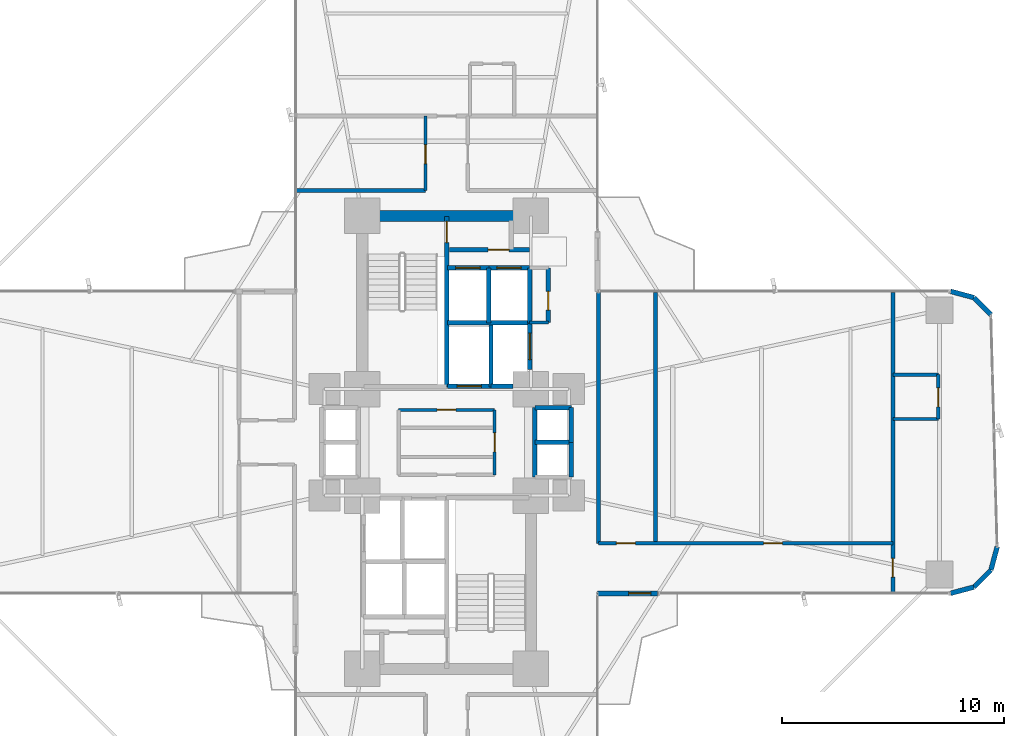
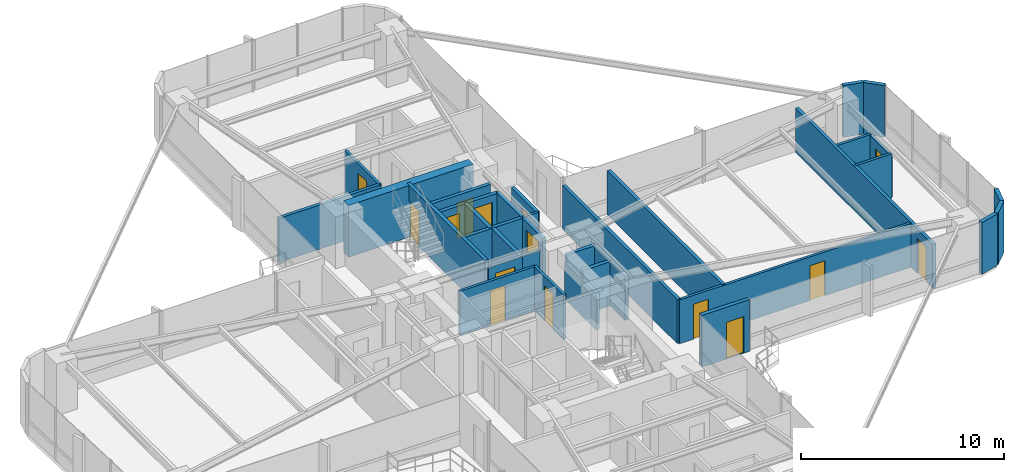
# One storey, part 23 of 25: 36 walls, 15 doors, 15 openings.
"""IFC4 building model written with IfcOpenShell, lengths in metres."""

from ifc_helpers import new_model, si_unit, direction, frame, frame_2d, origin, origin_2d, place, context, subcontext, project, spatial, rectangle, extrude, source, transform, mapped, material, layer, layer_set, type_object, element, fill, save


model = new_model("IFC4")

# Units and contexts
model_context = context("Model", 3, precision=1e-05, world=origin(), true_north=direction((0.0, 1.0)))
body_context = subcontext(model_context, "Body", "Model", "MODEL_VIEW")
ifc_project = project(units=[si_unit("LENGTHUNIT", "METRE"), si_unit("AREAUNIT", "SQUARE_METRE"), si_unit("VOLUMEUNIT", "CUBIC_METRE"), si_unit("PLANEANGLEUNIT", "RADIAN"), si_unit("MASSUNIT", "GRAM", prefix="KILO")], contexts=[model_context])

# Site, building, storey
site_placement = place(None, origin())
site = spatial("IfcSite", under=ifc_project, at=site_placement, CompositionType="ELEMENT")
building_placement = place(site_placement, origin())
building = spatial("IfcBuilding", under=site, at=building_placement, Name="Sahyath Konkavel Grand Hotel", CompositionType="ELEMENT")
storey_placement = place(building_placement, frame((0.0, 0.0, 39.85009765625)))
storey = spatial("IfcBuildingStorey", under=building, at=storey_placement, Name="L10", CompositionType="ELEMENT", Elevation=39.85009765625)

# Wall
ifc_material_1 = material(Name="Concrete C70/85", Category="concrete")
ifc_layer_1 = layer(ifc_material_1, 0.5)
ifc_layer_set_1 = layer_set([ifc_layer_1], Name="Concrete C70/85")
wall_type_1 = type_object("IfcWallType", Name="CWALL-500", PredefinedType="SHEAR", material=ifc_layer_set_1)
wall_1_placement = place(storey_placement, frame((-3.550048828125, 10.199951171875, 0.0), z_axis=(0.0, 0.0, 1.0), x_axis=(1.0, 0.0, 0.0)))
element("IfcWall", 1, at=wall_1_placement, inside=storey, type_object=wall_type_1, Name="L10 North Core Shear Wall N", PredefinedType="SHEAR", context=body_context, shape_type="SweptSolid", body=[
    extrude(rectangle(XDim=7.10009765625, YDim=0.5, at=frame_2d((3.550048828125, 0.0))), origin(), (0.0, 0.0, 1.0), 3.10986328125),
])

# Wall, opening, door
ifc_material_2 = material(Name="Warm Buff Sandstone Insulated Concrete C40/50", Category="masonry")
ifc_layer_2 = layer(ifc_material_2, 0.219970703125)
ifc_layer_set_2 = layer_set([ifc_layer_2], Name="Warm Buff Sandstone Insulated Concrete C40/50")
wall_type_2 = type_object("IfcWallType", Name="WLL-BALC-THRESH", PredefinedType="STANDARD", material=ifc_layer_set_2)
wall_2_placement = place(storey_placement, frame((6.800048828125, -6.800048828125, 0.0), z_axis=(0.0, 0.0, 1.0), x_axis=(1.0, 0.0, 0.0)))
wall_2 = element("IfcWall", 2, at=wall_2_placement, inside=storey, type_object=wall_type_2, Name="L10 Winter-Garden Threshold Wall 0", PredefinedType="STANDARD", context=body_context, shape_type="SweptSolid", body=[
    extrude(rectangle(XDim=2.699951171875, YDim=0.219970703125, at=frame_2d((1.35009765625, 0.0))), origin(), (0.0, 0.0, 1.0), 3.10986328125),
])
opening_1_placement = place(wall_2_placement, frame((1.39990234375, 0.0, 0.0)))
opening_1 = element("IfcOpeningElement", 3, at=opening_1_placement, cuts=wall_2, Name="Opening D-TR1", PredefinedType="OPENING", context=body_context, shape_type="SweptSolid", body=[
    extrude(rectangle(XDim=1.0, YDim=2.199951171875, at=frame_2d((0.5, 1.10009765625))), frame((0.0, 0.1201171875, 0.0), z_axis=(0.0, -1.0, 0.0), x_axis=(1.0, 0.0, 0.0)), (0.0, 0.0, 1.0), 0.239990234375),
])
ifc_material_3 = material(Name="Anodised Bronze Aluminium & Low-E Glazing", Category="aluminium")
door_type_1 = type_object("IfcDoorType", Name="DR-TERRACE-1000", OperationType="NOTDEFINED", PredefinedType="DOOR", material=ifc_material_3)
shared_shape_1 = source(origin(), body_context, "Body", "SweptSolid", [
    extrude(rectangle(XDim=1.0, YDim=0.050048828125, at=origin_2d()), origin(), (0.0, 0.0, 1.0), 2.199951171875),
])
door_1_placement = place(opening_1_placement, frame((0.5, 0.0, 0.0)))
door_1 = element("IfcDoor", 4, at=door_1_placement, inside=storey, type_object=door_type_1, Name="L10 Winter-Garden Terrace Door 0", OperationType="SINGLE_SWING_LEFT", OverallHeight=2.199951171875, OverallWidth=1.0, PredefinedType="DOOR", context=body_context, shape_type="MappedRepresentation", body=[
    mapped(shared_shape_1, transform((0.0, 0.0, 0.0), scale=1.0)),
])
fill(opening_1, door_1)

# Walls
for number, where, z_axis, x_axis, name in (
    (5, (22.699951171875, -6.800048828125, 0.0), (0.0, 0.0, 1.0), (0.965951058412, 0.25872485917, 0.0), "L10 Rounded Corner Sandstone Pier 1"),
    (6, (23.75, -6.518798828125, 0.0), (0.0, 0.0, 1.0), (0.707106781187, 0.707106781187, 0.0), "L10 Rounded Corner Sandstone Pier 2"),
    (7, (24.518798828125, -5.75, 0.0), (0.0, 0.0, 1.0), (0.25872485917, 0.965951058412, 0.0), "L10 Rounded Corner Sandstone Pier 3"),
    (8, (24.518798828125, 5.75, 0.0), (0.0, 0.0, 1.0), (-0.707106781187, 0.707106781187, 0.0), "L10 Rounded Corner Sandstone Pier 5"),
    (9, (23.75, 6.518798828125, 0.0), (0.0, 0.0, 1.0), (-0.965951058412, 0.25872485917, 0.0), "L10 Rounded Corner Sandstone Pier 6"),
):
    element("IfcWall", number, at=place(storey_placement, frame(where, z_axis=z_axis, x_axis=x_axis)), inside=storey, type_object=wall_type_2, Name=name, PredefinedType="STANDARD", context=body_context, shape_type="SweptSolid", body=[
        extrude(rectangle(XDim=1.087158203125, YDim=0.219970703125, at=frame_2d((0.54345703125, 0.0))), origin(), (0.0, 0.0, 1.0), 3.10986328125),
    ])

# Wall, opening, door
ifc_material_4 = material(Name="Concrete C40/50", Category="concrete")
ifc_layer_3 = layer(ifc_material_4, 0.199951171875)
ifc_layer_set_3 = layer_set([ifc_layer_3], Name="Concrete C40/50")
wall_type_3 = type_object("IfcWallType", Name="WLL-CORE-200", PredefinedType="SOLIDWALL", material=ifc_layer_set_3)
wall_3_placement = place(storey_placement, frame((0.0, 2.5, 0.0), z_axis=(0.0, 0.0, 1.0), x_axis=(0.0, 1.0, 0.0)))
wall_3 = element("IfcWall", 10, at=wall_3_placement, inside=storey, type_object=wall_type_3, Name="L10 Stair ST-1 Shaft Wall E", PredefinedType="SOLIDWALL", context=body_context, shape_type="SweptSolid", body=[
    extrude(rectangle(XDim=7.679931640625, YDim=0.199951171875, at=frame_2d((3.83984375, 0.0))), origin(), (0.0, 0.0, 1.0), 3.10986328125),
])
opening_2_placement = place(wall_3_placement, frame((6.5, 0.0, 0.0)))
opening_2 = element("IfcOpeningElement", 11, at=opening_2_placement, cuts=wall_3, Name="Opening D-F12C", PredefinedType="OPENING", context=body_context, shape_type="SweptSolid", body=[
    extrude(rectangle(XDim=0.949951171875, YDim=2.14990234375, at=frame_2d((0.47509765625, 1.074951171875))), frame((0.0, 0.10986328125, 0.0), z_axis=(0.0, -1.0, 0.0), x_axis=(1.0, 0.0, 0.0)), (0.0, 0.0, 1.0), 0.219970703125),
])
ifc_material_5 = material(Name="Steel E350 Plant Fire Door", Category="steel")
door_type_2 = type_object("IfcDoorType", Name="DR-FD120-950", OperationType="NOTDEFINED", PredefinedType="DOOR", material=ifc_material_5)
shared_shape_2 = source(origin(), body_context, "Body", "SweptSolid", [
    extrude(rectangle(XDim=0.949951171875, YDim=0.050048828125, at=origin_2d()), origin(), (0.0, 0.0, 1.0), 2.14990234375),
])
door_2_placement = place(opening_2_placement, frame((0.47509765625, 0.0, 0.0)))
door_2 = element("IfcDoor", 12, at=door_2_placement, inside=storey, type_object=door_type_2, Name="L10 Stair ST-1 Fire Door", OperationType="SINGLE_SWING_RIGHT", OverallHeight=2.14990234375, OverallWidth=0.949951171875, PredefinedType="DOOR", context=body_context, shape_type="MappedRepresentation", body=[
    mapped(shared_shape_2, transform((0.0, 0.0, 0.0), scale=1.0)),
])
fill(opening_2, door_2)

# Wall
wall_4_placement = place(storey_placement, frame((2.0, 2.5, 0.0), z_axis=(0.0, 0.0, 1.0), x_axis=(0.0, 1.0, 0.0)))
element("IfcWall", 13, at=wall_4_placement, inside=storey, type_object=wall_type_3, Name="L10 Partition SH-FFL1-E", PredefinedType="SOLIDWALL", context=body_context, shape_type="SweptSolid", body=[
    extrude(rectangle(XDim=2.780029296875, YDim=0.199951171875, at=frame_2d((1.39013671875, 0.0))), origin(), (0.0, 0.0, 1.0), 2.659912109375),
])

# Wall, opening, door
wall_5_placement = place(storey_placement, frame((0.050048828125, 2.52001953125, 0.0), z_axis=(0.0, 0.0, 1.0), x_axis=(1.0, 0.0, 0.0)))
wall_5 = element("IfcWall", 14, at=wall_5_placement, inside=storey, type_object=wall_type_3, Name="L10 Partition SH-FFL1-S", PredefinedType="SOLIDWALL", context=body_context, shape_type="SweptSolid", body=[
    extrude(rectangle(XDim=1.949951171875, YDim=0.199951171875, at=frame_2d((0.97509765625, 0.0))), origin(), (0.0, 0.0, 1.0), 2.659912109375),
])
opening_3_placement = place(wall_5_placement, frame((0.419921875, 0.0, 0.0)))
opening_3 = element("IfcOpeningElement", 15, at=opening_3_placement, cuts=wall_5, Name="Opening LD-11", PredefinedType="OPENING", context=body_context, shape_type="SweptSolid", body=[
    extrude(rectangle(XDim=1.10009765625, YDim=2.199951171875, at=frame_2d((0.550048828125, 1.10009765625))), frame((0.0, 0.10986328125, 0.0), z_axis=(0.0, -1.0, 0.0), x_axis=(1.0, 0.0, 0.0)), (0.0, 0.0, 1.0), 0.219970703125),
])
ifc_material_6 = material(Name="Bronze Lift Landing Door 1100")
door_type_3 = type_object("IfcDoorType", Name="DR-LIFT-1100", OperationType="DOUBLE_DOOR_SLIDING", PredefinedType="DOOR", material=ifc_material_6)
shared_shape_3 = source(origin(), body_context, "Body", "SweptSolid", [
    extrude(rectangle(XDim=1.10009765625, YDim=0.050048828125, at=origin_2d()), origin(), (0.0, 0.0, 1.0), 2.199951171875),
])
door_3_placement = place(opening_3_placement, frame((0.550048828125, 0.0, 0.0)))
door_3 = element("IfcDoor", 16, at=door_3_placement, inside=storey, type_object=door_type_3, Name="L10 Lift FFL-1 Landing Door", OperationType="DOUBLE_DOOR_SLIDING", OverallHeight=2.199951171875, OverallWidth=1.10009765625, PredefinedType="DOOR", context=body_context, shape_type="MappedRepresentation", body=[
    mapped(shared_shape_3, transform((0.0, 0.0, 0.0), scale=1.0)),
])
fill(opening_3, door_3)

# Wall
wall_6_placement = place(storey_placement, frame((2.0, 2.52001953125, 0.0), z_axis=(0.0, 0.0, 1.0), x_axis=(1.0, 0.0, 0.0)))
element("IfcWall", 17, at=wall_6_placement, inside=storey, type_object=wall_type_3, Name="L10 Partition SH-SVL1-S", PredefinedType="SOLIDWALL", context=body_context, shape_type="SweptSolid", body=[
    extrude(rectangle(XDim=1.0, YDim=0.199951171875, at=frame_2d((0.5, 0.0))), origin(), (0.0, 0.0, 1.0), 2.659912109375),
])

# Wall, opening, door
wall_7_placement = place(storey_placement, frame((3.739990234375, 3.280029296875, 0.0), z_axis=(0.0, 0.0, 1.0), x_axis=(0.0, 1.0, 0.0)))
wall_7 = element("IfcWall", 18, at=wall_7_placement, inside=storey, type_object=wall_type_3, Name="L10 Partition SH-SVL1-E", PredefinedType="SOLIDWALL", context=body_context, shape_type="SweptSolid", body=[
    extrude(rectangle(XDim=2.080078125, YDim=0.199951171875, at=frame_2d((1.0400390625, 0.0))), origin(), (0.0, 0.0, 1.0), 2.659912109375),
])
opening_4_placement = place(wall_7_placement, frame((0.43994140625, 0.0, 0.0)))
opening_4 = element("IfcOpeningElement", 19, at=opening_4_placement, cuts=wall_7, Name="Opening LD-12", PredefinedType="OPENING", context=body_context, shape_type="SweptSolid", body=[
    extrude(rectangle(XDim=1.199951171875, YDim=2.199951171875, at=frame_2d((0.60009765625, 1.10009765625))), frame((0.0, 0.10986328125, 0.0), z_axis=(0.0, -1.0, 0.0), x_axis=(1.0, 0.0, 0.0)), (0.0, 0.0, 1.0), 0.219970703125),
])
ifc_material_7 = material(Name="Stainless Steel Lift Landing Door 1200", Category="steel")
door_type_4 = type_object("IfcDoorType", Name="DR-LIFT-1200", OperationType="DOUBLE_DOOR_SLIDING", PredefinedType="DOOR", material=ifc_material_7)
shared_shape_4 = source(origin(), body_context, "Body", "SweptSolid", [
    extrude(rectangle(XDim=1.199951171875, YDim=0.050048828125, at=origin_2d()), origin(), (0.0, 0.0, 1.0), 2.199951171875),
])
door_4_placement = place(opening_4_placement, frame((0.60009765625, 0.0, 0.0)))
door_4 = element("IfcDoor", 20, at=door_4_placement, inside=storey, type_object=door_type_4, Name="L10 Service Lift SVL-1 Landing Door", OperationType="DOUBLE_DOOR_SLIDING", OverallHeight=2.199951171875, OverallWidth=1.199951171875, PredefinedType="DOOR", context=body_context, shape_type="MappedRepresentation", body=[
    mapped(shared_shape_4, transform((0.0, 0.0, 0.0), scale=1.0)),
])
fill(opening_4, door_4)

# Walls
wall_8_placement = place(storey_placement, frame((0.050048828125, 5.3798828125, 0.0), z_axis=(0.0, 0.0, 1.0), x_axis=(1.0, 0.0, 0.0)))
element("IfcWall", 21, at=wall_8_placement, inside=storey, type_object=wall_type_3, Name="L10 Partition SH-PL12-S", PredefinedType="SOLIDWALL", context=body_context, shape_type="SweptSolid", body=[
    extrude(rectangle(XDim=3.68994140625, YDim=0.199951171875, at=frame_2d((1.844970703125, 0.0))), origin(), (0.0, 0.0, 1.0), 2.659912109375),
])
wall_9_placement = place(storey_placement, frame((1.89990234375, 5.3798828125, 0.0), z_axis=(0.0, 0.0, 1.0), x_axis=(0.0, 1.0, 0.0)))
element("IfcWall", 22, at=wall_9_placement, inside=storey, type_object=wall_type_3, Name="L10 Partition SH-PL12-M", PredefinedType="SOLIDWALL", context=body_context, shape_type="SweptSolid", body=[
    extrude(rectangle(XDim=2.480224609375, YDim=0.199951171875, at=frame_2d((1.240234375, 0.0))), origin(), (0.0, 0.0, 1.0), 2.659912109375),
])

# Wall, opening, door
wall_10_placement = place(storey_placement, frame((0.050048828125, 7.860107421875, 0.0), z_axis=(0.0, 0.0, 1.0), x_axis=(1.0, 0.0, 0.0)))
wall_10 = element("IfcWall", 23, at=wall_10_placement, inside=storey, type_object=wall_type_3, Name="L10 Partition SH-PL1-N", PredefinedType="SOLIDWALL", context=body_context, shape_type="SweptSolid", body=[
    extrude(rectangle(XDim=1.849853515625, YDim=0.199951171875, at=frame_2d((0.9248046875, 0.0))), origin(), (0.0, 0.0, 1.0), 2.659912109375),
])
opening_5_placement = place(wall_10_placement, frame((0.360107421875, 0.0, 0.0)))
opening_5 = element("IfcOpeningElement", 24, at=opening_5_placement, cuts=wall_10, Name="Opening LD-11", PredefinedType="OPENING", context=body_context, shape_type="SweptSolid", body=[
    extrude(rectangle(XDim=1.10009765625, YDim=2.199951171875, at=frame_2d((0.550048828125, 1.10009765625))), frame((0.0, 0.10986328125, 0.0), z_axis=(0.0, -1.0, 0.0), x_axis=(1.0, 0.0, 0.0)), (0.0, 0.0, 1.0), 0.219970703125),
])
door_5_placement = place(opening_5_placement, frame((0.550048828125, 0.0, 0.0)))
door_5 = element("IfcDoor", 25, at=door_5_placement, inside=storey, type_object=door_type_3, Name="L10 Passenger Lift PL-1 Landing Door", OperationType="DOUBLE_DOOR_SLIDING", OverallHeight=2.199951171875, OverallWidth=1.10009765625, PredefinedType="DOOR", context=body_context, shape_type="MappedRepresentation", body=[
    mapped(shared_shape_3, transform((0.0, 0.0, 0.0), scale=1.0)),
])
fill(opening_5, door_5)

# Wall
wall_11_placement = place(storey_placement, frame((3.739990234375, 5.3798828125, 0.0), z_axis=(0.0, 0.0, 1.0), x_axis=(0.0, 1.0, 0.0)))
element("IfcWall", 26, at=wall_11_placement, inside=storey, type_object=wall_type_3, Name="L10 Partition SH-PL2-E", PredefinedType="SOLIDWALL", context=body_context, shape_type="SweptSolid", body=[
    extrude(rectangle(XDim=2.480224609375, YDim=0.199951171875, at=frame_2d((1.240234375, 0.0))), origin(), (0.0, 0.0, 1.0), 2.659912109375),
])

# Wall, opening, door
wall_12_placement = place(storey_placement, frame((1.89990234375, 7.860107421875, 0.0), z_axis=(0.0, 0.0, 1.0), x_axis=(1.0, 0.0, 0.0)))
wall_12 = element("IfcWall", 27, at=wall_12_placement, inside=storey, type_object=wall_type_3, Name="L10 Partition SH-PL2-N", PredefinedType="SOLIDWALL", context=body_context, shape_type="SweptSolid", body=[
    extrude(rectangle(XDim=1.840087890625, YDim=0.199951171875, at=frame_2d((0.919921875, 0.0))), origin(), (0.0, 0.0, 1.0), 2.659912109375),
])
opening_6_placement = place(wall_12_placement, frame((0.360107421875, 0.0, 0.0)))
opening_6 = element("IfcOpeningElement", 28, at=opening_6_placement, cuts=wall_12, Name="Opening LD-11", PredefinedType="OPENING", context=body_context, shape_type="SweptSolid", body=[
    extrude(rectangle(XDim=1.10009765625, YDim=2.199951171875, at=frame_2d((0.550048828125, 1.10009765625))), frame((0.0, 0.10986328125, 0.0), z_axis=(0.0, -1.0, 0.0), x_axis=(1.0, 0.0, 0.0)), (0.0, 0.0, 1.0), 0.219970703125),
])
door_6_placement = place(opening_6_placement, frame((0.550048828125, 0.0, 0.0)))
door_6 = element("IfcDoor", 29, at=door_6_placement, inside=storey, type_object=door_type_3, Name="L10 Passenger Lift PL-2 Landing Door", OperationType="DOUBLE_DOOR_SLIDING", OverallHeight=2.199951171875, OverallWidth=1.10009765625, PredefinedType="DOOR", context=body_context, shape_type="MappedRepresentation", body=[
    mapped(shared_shape_3, transform((0.0, 0.0, 0.0), scale=1.0)),
])
fill(opening_6, door_6)

# Walls
wall_13_placement = place(storey_placement, frame((3.97998046875, -1.56005859375, 0.0), z_axis=(0.0, 0.0, 1.0), x_axis=(0.0, 1.0, 0.0)))
element("IfcWall", 30, at=wall_13_placement, inside=storey, type_object=wall_type_3, Name="L10 Partition SH-PL56-W", PredefinedType="SOLIDWALL", context=body_context, shape_type="SweptSolid", body=[
    extrude(rectangle(XDim=3.1201171875, YDim=0.199951171875, at=frame_2d((1.56005859375, 0.0))), origin(), (0.0, 0.0, 1.0), 2.179931640625),
])
for number, where, z_axis, x_axis, name in (
    (31, (3.97998046875, 1.56005859375, 0.0), (0.0, 0.0, 1.0), (1.0, 0.0, 0.0), "L10 Partition SH-PL56-N"),
    (32, (3.97998046875, 0.0, 0.0), (0.0, 0.0, 1.0), (1.0, 0.0, 0.0), "L10 Partition SH-PL56-M"),
):
    element("IfcWall", number, at=place(storey_placement, frame(where, z_axis=z_axis, x_axis=x_axis)), inside=storey, type_object=wall_type_3, Name=name, PredefinedType="SOLIDWALL", context=body_context, shape_type="SweptSolid", body=[
        extrude(rectangle(XDim=1.64013671875, YDim=0.199951171875, at=frame_2d((0.820068359375, 0.0))), origin(), (0.0, 0.0, 1.0), 2.659912109375),
    ])
for number, where, z_axis, x_axis, name in (
    (33, (5.6201171875, 0.0, 0.0), (0.0, 0.0, 1.0), (0.0, 1.0, 0.0), "L10 Partition SH-PL5-E"),
    (34, (5.6201171875, -1.56005859375, 0.0), (0.0, 0.0, 1.0), (0.0, 1.0, 0.0), "L10 Partition SH-PL6-E"),
):
    element("IfcWall", number, at=place(storey_placement, frame(where, z_axis=z_axis, x_axis=x_axis)), inside=storey, type_object=wall_type_3, Name=name, PredefinedType="SOLIDWALL", context=body_context, shape_type="SweptSolid", body=[
        extrude(rectangle(XDim=1.56005859375, YDim=0.199951171875, at=frame_2d((0.780029296875, 0.0))), origin(), (0.0, 0.0, 1.0), 2.659912109375),
    ])

# Wall, opening, door
wall_14_placement = place(storey_placement, frame((0.1201171875, 8.679931640625, 0.0), z_axis=(0.0, 0.0, 1.0), x_axis=(1.0, 0.0, 0.0)))
wall_14 = element("IfcWall", 35, at=wall_14_placement, inside=storey, type_object=wall_type_3, Name="L10 North FF Lobby Separation Wall", PredefinedType="SOLIDWALL", context=body_context, shape_type="SweptSolid", body=[
    extrude(rectangle(XDim=3.619873046875, YDim=0.199951171875, at=frame_2d((1.81005859375, 0.0))), origin(), (0.0, 0.0, 1.0), 2.659912109375),
])
opening_7_placement = place(wall_14_placement, frame((1.75, 0.0, 0.0)))
opening_7 = element("IfcOpeningElement", 36, at=opening_7_placement, cuts=wall_14, Name="Opening D-F12C", PredefinedType="OPENING", context=body_context, shape_type="SweptSolid", body=[
    extrude(rectangle(XDim=0.949951171875, YDim=2.14990234375, at=frame_2d((0.47509765625, 1.074951171875))), frame((0.0, 0.10986328125, 0.0), z_axis=(0.0, -1.0, 0.0), x_axis=(1.0, 0.0, 0.0)), (0.0, 0.0, 1.0), 0.219970703125),
])
door_7_placement = place(opening_7_placement, frame((0.47509765625, 0.0, 0.0)))
door_7 = element("IfcDoor", 37, at=door_7_placement, inside=storey, type_object=door_type_2, Name="L10 North Firefighting Lobby Door", OperationType="SINGLE_SWING_LEFT", OverallHeight=2.14990234375, OverallWidth=0.949951171875, PredefinedType="DOOR", context=body_context, shape_type="MappedRepresentation", body=[
    mapped(shared_shape_2, transform((0.0, 0.0, 0.0), scale=1.0)),
])
fill(opening_7, door_7)

wall_15_placement = place(storey_placement, frame((4.580078125, 5.39990234375, 0.0), z_axis=(0.0, 0.0, 1.0), x_axis=(0.0, 1.0, 0.0)))
wall_15 = element("IfcWall", 38, at=wall_15_placement, inside=storey, type_object=wall_type_3, Name="L10 Partition NC-FLK-E", PredefinedType="SOLIDWALL", context=body_context, shape_type="SweptSolid", body=[
    extrude(rectangle(XDim=2.460205078125, YDim=0.199951171875, at=frame_2d((1.22998046875, 0.0))), origin(), (0.0, 0.0, 1.0), 2.659912109375),
])
opening_8_placement = place(wall_15_placement, frame((0.550048828125, 0.0, 0.0)))
opening_8 = element("IfcOpeningElement", 39, at=opening_8_placement, cuts=wall_15, Name="Opening D-F06D", PredefinedType="OPENING", context=body_context, shape_type="SweptSolid", body=[
    extrude(rectangle(XDim=0.85009765625, YDim=2.10009765625, at=frame_2d((0.425048828125, 1.050048828125))), frame((0.0, 0.10986328125, 0.0), z_axis=(0.0, -1.0, 0.0), x_axis=(1.0, 0.0, 0.0)), (0.0, 0.0, 1.0), 0.219970703125),
])
ifc_material_8 = material(Name="Fire-Rated Shaft Access Door")
door_type_5 = type_object("IfcDoorType", Name="DR-FD60-850", OperationType="NOTDEFINED", PredefinedType="DOOR", material=ifc_material_8)
shared_shape_5 = source(origin(), body_context, "Body", "SweptSolid", [
    extrude(rectangle(XDim=0.85009765625, YDim=0.050048828125, at=origin_2d()), origin(), (0.0, 0.0, 1.0), 2.10009765625),
])
door_8_placement = place(opening_8_placement, frame((0.425048828125, 0.0, 0.0)))
door_8 = element("IfcDoor", 40, at=door_8_placement, inside=storey, type_object=door_type_5, Name="L10 Door NC-FLK1-D", OperationType="SINGLE_SWING_RIGHT", OverallHeight=2.10009765625, OverallWidth=0.85009765625, PredefinedType="DOOR", context=body_context, shape_type="MappedRepresentation", body=[
    mapped(shared_shape_5, transform((0.0, 0.0, 0.0), scale=1.0)),
])
fill(opening_8, door_8)

# Walls
ifc_material_9 = material(Name="Twin-Stud Acoustic Gypsum Plasterboard Partition")
ifc_layer_4 = layer(ifc_material_9, 0.179931640625)
ifc_layer_set_4 = layer_set([ifc_layer_4], Name="Twin-Stud Acoustic Gypsum Plasterboard Partition")
wall_type_4 = type_object("IfcWallType", Name="WLL-DEMISE-180", PredefinedType="PARTITIONING", material=ifc_layer_set_4)
for number, where, z_axis, x_axis, name in (
    (41, (6.85009765625, -4.550048828125, 0.0), (0.0, 0.0, 1.0), (0.0, 1.0, 0.0), "L10 Partition E-G6I"),
    (42, (9.39990234375, -4.550048828125, 0.0), (0.0, 0.0, 1.0), (0.0, 1.0, 0.0), "L10 Partition E-EHK-DEM"),
):
    element("IfcWall", number, at=place(storey_placement, frame(where, z_axis=z_axis, x_axis=x_axis)), inside=storey, type_object=wall_type_4, Name=name, PredefinedType="PARTITIONING", context=body_context, shape_type="SweptSolid", body=[
        extrude(rectangle(XDim=11.300048828125, YDim=0.179931640625, at=frame_2d((5.64990234375, 0.0))), origin(), (0.0, 0.0, 1.0), 2.659912109375),
    ])

# Wall, opening, door
wall_16_placement = place(storey_placement, frame((20.10009765625, -6.75, 0.0), z_axis=(0.0, 0.0, 1.0), x_axis=(0.0, 1.0, 0.0)))
wall_16 = element("IfcWall", 43, at=wall_16_placement, inside=storey, type_object=wall_type_4, Name="L10 Partition E-ETIP-END", PredefinedType="PARTITIONING", context=body_context, shape_type="SweptSolid", body=[
    extrude(rectangle(XDim=13.5, YDim=0.179931640625, at=frame_2d((6.75, 0.0))), origin(), (0.0, 0.0, 1.0), 2.659912109375),
])
opening_9_placement = place(wall_16_placement, frame((0.675048828125, 0.0, 0.0)))
opening_9 = element("IfcOpeningElement", 44, at=opening_9_placement, cuts=wall_16, Name="Opening D-F06D", PredefinedType="OPENING", context=body_context, shape_type="SweptSolid", body=[
    extrude(rectangle(XDim=0.85009765625, YDim=2.10009765625, at=frame_2d((0.425048828125, 1.050048828125))), frame((0.0, 0.10009765625, 0.0), z_axis=(0.0, -1.0, 0.0), x_axis=(1.0, 0.0, 0.0)), (0.0, 0.0, 1.0), 0.199951171875),
])
door_9_placement = place(opening_9_placement, frame((0.425048828125, 0.0, 0.0)))
door_9 = element("IfcDoor", 45, at=door_9_placement, inside=storey, type_object=door_type_5, Name="L10 Door E-ETIP-ED", OperationType="SINGLE_SWING_LEFT", OverallHeight=2.10009765625, OverallWidth=0.85009765625, PredefinedType="DOOR", context=body_context, shape_type="MappedRepresentation", body=[
    mapped(shared_shape_5, transform((0.0, 0.0, 0.0), scale=1.0)),
])
fill(opening_9, door_9)

# Walls
wall_17_placement = place(storey_placement, frame((-0.949951171875, 11.35009765625, 0.0), z_axis=(0.0, 0.0, 1.0), x_axis=(-1.0, 0.0, 0.0)))
element("IfcWall", 46, at=wall_17_placement, inside=storey, type_object=wall_type_4, Name="L10 Partition N-INL", PredefinedType="PARTITIONING", context=body_context, shape_type="SweptSolid", body=[
    extrude(rectangle(XDim=5.800048828125, YDim=0.179931640625, at=frame_2d((2.89990234375, 0.0))), origin(), (0.0, 0.0, 1.0), 2.659912109375),
])
ifc_material_10 = material(Name="Fire-Rated Gypsum Plasterboard Partition")
ifc_layer_5 = layer(ifc_material_10, 0.14990234375)
ifc_layer_set_5 = layer_set([ifc_layer_5], Name="Fire-Rated Gypsum Plasterboard Partition")
wall_type_5 = type_object("IfcWallType", Name="WLL-PART-150", PredefinedType="PARTITIONING", material=ifc_layer_set_5)
wall_18_placement = place(storey_placement, frame((3.739990234375, 5.39990234375, 0.0), z_axis=(0.0, 0.0, 1.0), x_axis=(1.0, 0.0, 0.0)))
element("IfcWall", 47, at=wall_18_placement, inside=storey, type_object=wall_type_5, Name="L10 Partition NC-FLK-S", PredefinedType="PARTITIONING", context=body_context, shape_type="SweptSolid", body=[
    extrude(rectangle(XDim=0.840087890625, YDim=0.14990234375, at=frame_2d((0.419921875, 0.0))), origin(), (0.0, 0.0, 1.0), 2.659912109375),
])

# Wall, opening, door
wall_19_placement = place(storey_placement, frame((2.159912109375, -1.4599609375, 0.0), z_axis=(0.0, 0.0, 1.0), x_axis=(0.0, 1.0, 0.0)))
wall_19 = element("IfcWall", 48, at=wall_19_placement, inside=storey, type_object=wall_type_5, Name="L10 Partition CC-2E", PredefinedType="PARTITIONING", context=body_context, shape_type="SweptSolid", body=[
    extrude(rectangle(XDim=2.919921875, YDim=0.14990234375, at=frame_2d((1.4599609375, 0.0))), origin(), (0.0, 0.0, 1.0), 2.659912109375),
])
opening_10_placement = place(wall_19_placement, frame((1.034912109375, 0.0, 0.0)))
opening_10 = element("IfcOpeningElement", 49, at=opening_10_placement, cuts=wall_19, Name="Opening D-F06D", PredefinedType="OPENING", context=body_context, shape_type="SweptSolid", body=[
    extrude(rectangle(XDim=0.85009765625, YDim=2.10009765625, at=frame_2d((0.425048828125, 1.050048828125))), frame((0.0, 0.0849609375, 0.0), z_axis=(0.0, -1.0, 0.0), x_axis=(1.0, 0.0, 0.0)), (0.0, 0.0, 1.0), 0.169921875),
])
door_10_placement = place(opening_10_placement, frame((0.425048828125, 0.0, 0.0)))
door_10 = element("IfcDoor", 50, at=door_10_placement, inside=storey, type_object=door_type_5, Name="L10 Door CC-D2B", OperationType="SINGLE_SWING_RIGHT", OverallHeight=2.10009765625, OverallWidth=0.85009765625, PredefinedType="DOOR", context=body_context, shape_type="MappedRepresentation", body=[
    mapped(shared_shape_5, transform((0.0, 0.0, 0.0), scale=1.0)),
])
fill(opening_10, door_10)

wall_20_placement = place(storey_placement, frame((-2.159912109375, 1.4599609375, 0.0), z_axis=(0.0, 0.0, 1.0), x_axis=(1.0, 0.0, 0.0)))
wall_20 = element("IfcWall", 51, at=wall_20_placement, inside=storey, type_object=wall_type_5, Name="L10 Partition CC-2N", PredefinedType="PARTITIONING", context=body_context, shape_type="SweptSolid", body=[
    extrude(rectangle(XDim=4.31982421875, YDim=0.14990234375, at=frame_2d((2.159912109375, 0.0))), origin(), (0.0, 0.0, 1.0), 2.659912109375),
])
opening_11_placement = place(wall_20_placement, frame((1.72998046875, 0.0, 0.0)))
opening_11 = element("IfcOpeningElement", 52, at=opening_11_placement, cuts=wall_20, Name="Opening D-F06D", PredefinedType="OPENING", context=body_context, shape_type="SweptSolid", body=[
    extrude(rectangle(XDim=0.85009765625, YDim=2.10009765625, at=frame_2d((0.425048828125, 1.050048828125))), frame((0.0, 0.0849609375, 0.0), z_axis=(0.0, -1.0, 0.0), x_axis=(1.0, 0.0, 0.0)), (0.0, 0.0, 1.0), 0.169921875),
])
door_11_placement = place(opening_11_placement, frame((0.425048828125, 0.0, 0.0)))
door_11 = element("IfcDoor", 53, at=door_11_placement, inside=storey, type_object=door_type_5, Name="L10 Door CC-D2A", OperationType="SINGLE_SWING_LEFT", OverallHeight=2.10009765625, OverallWidth=0.85009765625, PredefinedType="DOOR", context=body_context, shape_type="MappedRepresentation", body=[
    mapped(shared_shape_5, transform((0.0, 0.0, 0.0), scale=1.0)),
])
fill(opening_11, door_11)

# Wall, openings, doors
wall_21_placement = place(storey_placement, frame((6.85009765625, -4.550048828125, 0.0), z_axis=(0.0, 0.0, 1.0), x_axis=(1.0, 0.0, 0.0)))
wall_21 = element("IfcWall", 54, at=wall_21_placement, inside=storey, type_object=wall_type_5, Name="L10 Partition E-G6W", PredefinedType="PARTITIONING", context=body_context, shape_type="SweptSolid", body=[
    extrude(rectangle(XDim=13.25, YDim=0.14990234375, at=frame_2d((6.625, 0.0))), origin(), (0.0, 0.0, 1.0), 2.6298828125),
])
opening_12_placement = place(wall_21_placement, frame((0.800048828125, 0.0, 0.0)))
opening_12 = element("IfcOpeningElement", 55, at=opening_12_placement, cuts=wall_21, Name="Opening D-F06D", PredefinedType="OPENING", context=body_context, shape_type="SweptSolid", body=[
    extrude(rectangle(XDim=0.85009765625, YDim=2.10009765625, at=frame_2d((0.425048828125, 1.050048828125))), frame((0.0, 0.0849609375, 0.0), z_axis=(0.0, -1.0, 0.0), x_axis=(1.0, 0.0, 0.0)), (0.0, 0.0, 1.0), 0.169921875),
])
opening_13_placement = place(wall_21_placement, frame((7.425048828125, 0.0, 0.0)))
opening_13 = element("IfcOpeningElement", 56, at=opening_13_placement, cuts=wall_21, Name="Opening D-F06D", PredefinedType="OPENING", context=body_context, shape_type="SweptSolid", body=[
    extrude(rectangle(XDim=0.85009765625, YDim=2.10009765625, at=frame_2d((0.425048828125, 1.050048828125))), frame((0.0, 0.0849609375, 0.0), z_axis=(0.0, -1.0, 0.0), x_axis=(1.0, 0.0, 0.0)), (0.0, 0.0, 1.0), 0.169921875),
])
door_12_placement = place(opening_12_placement, frame((0.425048828125, 0.0, 0.0)))
door_12 = element("IfcDoor", 57, at=door_12_placement, inside=storey, type_object=door_type_5, Name="L10 Door E-EHK-D", OperationType="SINGLE_SWING_RIGHT", OverallHeight=2.10009765625, OverallWidth=0.85009765625, PredefinedType="DOOR", context=body_context, shape_type="MappedRepresentation", body=[
    mapped(shared_shape_5, transform((0.0, 0.0, 0.0), scale=1.0)),
])
fill(opening_12, door_12)
door_13_placement = place(opening_13_placement, frame((0.425048828125, 0.0, 0.0)))
door_13 = element("IfcDoor", 58, at=door_13_placement, inside=storey, type_object=door_type_5, Name="L10 Door E-ESL6-D", OperationType="SINGLE_SWING_LEFT", OverallHeight=2.10009765625, OverallWidth=0.85009765625, PredefinedType="DOOR", context=body_context, shape_type="MappedRepresentation", body=[
    mapped(shared_shape_5, transform((0.0, 0.0, 0.0), scale=1.0)),
])
fill(opening_13, door_13)

# Walls
wall_22_placement = place(storey_placement, frame((20.10009765625, 3.050048828125, 0.0), z_axis=(0.0, 0.0, 1.0), x_axis=(1.0, 0.0, 0.0)))
element("IfcWall", 59, at=wall_22_placement, inside=storey, type_object=wall_type_5, Name="L10 Partition E-ETIP-BN", PredefinedType="PARTITIONING", context=body_context, shape_type="SweptSolid", body=[
    extrude(rectangle(XDim=2.0498046875, YDim=0.14990234375, at=frame_2d((1.02490234375, 0.0))), origin(), (0.0, 0.0, 1.0), 2.6298828125),
])
wall_23_placement = place(storey_placement, frame((20.10009765625, 1.050048828125, 0.0), z_axis=(0.0, 0.0, 1.0), x_axis=(1.0, 0.0, 0.0)))
element("IfcWall", 60, at=wall_23_placement, inside=storey, type_object=wall_type_5, Name="L10 Partition E-ETIP-BS", PredefinedType="PARTITIONING", context=body_context, shape_type="SweptSolid", body=[
    extrude(rectangle(XDim=2.0498046875, YDim=0.14990234375, at=frame_2d((1.02490234375, 0.0))), origin(), (0.0, 0.0, 1.0), 2.659912109375),
])

# Wall, opening, door
wall_24_placement = place(storey_placement, frame((22.14990234375, 1.050048828125, 0.0), z_axis=(0.0, 0.0, 1.0), x_axis=(0.0, 1.0, 0.0)))
wall_24 = element("IfcWall", 61, at=wall_24_placement, inside=storey, type_object=wall_type_5, Name="L10 Partition E-ETIP-BE", PredefinedType="PARTITIONING", context=body_context, shape_type="SweptSolid", body=[
    extrude(rectangle(XDim=2.0, YDim=0.14990234375, at=frame_2d((1.0, 0.0))), origin(), (0.0, 0.0, 1.0), 2.579833984375),
])
opening_14_placement = place(wall_24_placement, frame((0.550048828125, 0.0, 0.0)))
opening_14 = element("IfcOpeningElement", 62, at=opening_14_placement, cuts=wall_24, Name="Opening D-BT85", PredefinedType="OPENING", context=body_context, shape_type="SweptSolid", body=[
    extrude(rectangle(XDim=0.85009765625, YDim=2.10009765625, at=frame_2d((0.425048828125, 1.050048828125))), frame((0.0, 0.0849609375, 0.0), z_axis=(0.0, -1.0, 0.0), x_axis=(1.0, 0.0, 0.0)), (0.0, 0.0, 1.0), 0.169921875),
])
ifc_material_11 = material(Name="Moisture-Resistant Teak Bathroom Door")
door_type_6 = type_object("IfcDoorType", Name="DR-BATH-850", OperationType="NOTDEFINED", PredefinedType="DOOR", material=ifc_material_11)
door_14_placement = place(opening_14_placement, frame((0.425048828125, 0.0, 0.0)))
door_14 = element("IfcDoor", 63, at=door_14_placement, inside=storey, type_object=door_type_6, Name="L10 Door E-ETIP-BD", OperationType="SINGLE_SWING_RIGHT", OverallHeight=2.10009765625, OverallWidth=0.85009765625, PredefinedType="DOOR", context=body_context, shape_type="MappedRepresentation", body=[
    mapped(shared_shape_5, transform((0.0, 0.0, 0.0), scale=1.0)),
])
fill(opening_14, door_14)

wall_25_placement = place(storey_placement, frame((-0.949951171875, 11.35009765625, 0.0), z_axis=(0.0, 0.0, 1.0), x_axis=(0.0, 1.0, 0.0)))
wall_25 = element("IfcWall", 64, at=wall_25_placement, inside=storey, type_object=wall_type_5, Name="L10 Partition N-CL", PredefinedType="PARTITIONING", context=body_context, shape_type="SweptSolid", body=[
    extrude(rectangle(XDim=3.349853515625, YDim=0.14990234375, at=frame_2d((1.6748046875, 0.0))), origin(), (0.0, 0.0, 1.0), 2.659912109375),
])
opening_15_placement = place(wall_25_placement, frame((1.199951171875, 0.0, 0.0)))
opening_15 = element("IfcOpeningElement", 65, at=opening_15_placement, cuts=wall_25, Name="Opening D-F06D", PredefinedType="OPENING", context=body_context, shape_type="SweptSolid", body=[
    extrude(rectangle(XDim=0.85009765625, YDim=2.10009765625, at=frame_2d((0.425048828125, 1.050048828125))), frame((0.0, 0.0849609375, 0.0), z_axis=(0.0, -1.0, 0.0), x_axis=(1.0, 0.0, 0.0)), (0.0, 0.0, 1.0), 0.169921875),
])
door_15_placement = place(opening_15_placement, frame((0.425048828125, 0.0, 0.0)))
door_15 = element("IfcDoor", 66, at=door_15_placement, inside=storey, type_object=door_type_5, Name="L10 Door N-NS3L-D", OperationType="SINGLE_SWING_RIGHT", OverallHeight=2.10009765625, OverallWidth=0.85009765625, PredefinedType="DOOR", context=body_context, shape_type="MappedRepresentation", body=[
    mapped(shared_shape_5, transform((0.0, 0.0, 0.0), scale=1.0)),
])
fill(opening_15, door_15)

save(model, "model.ifc")
